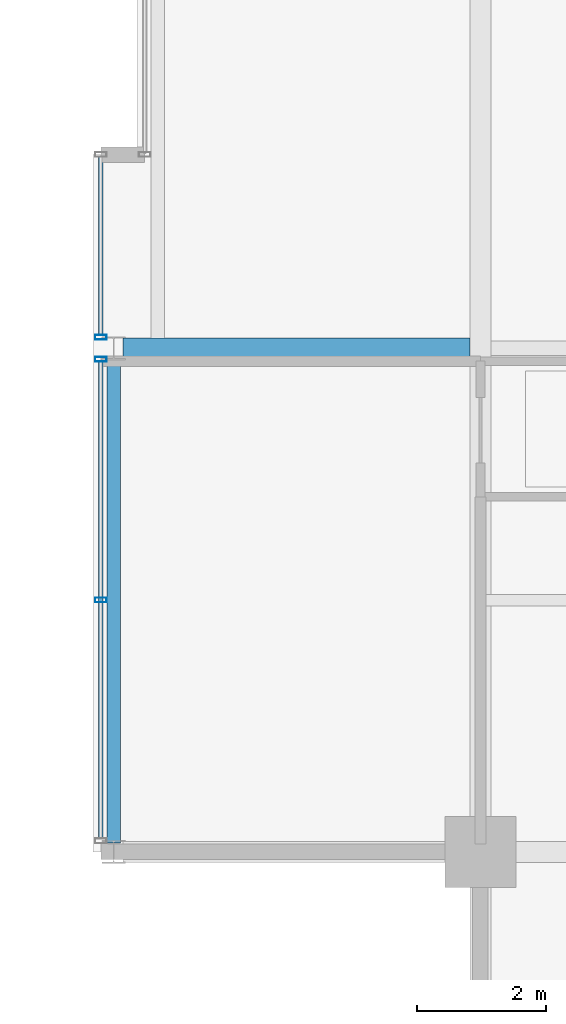
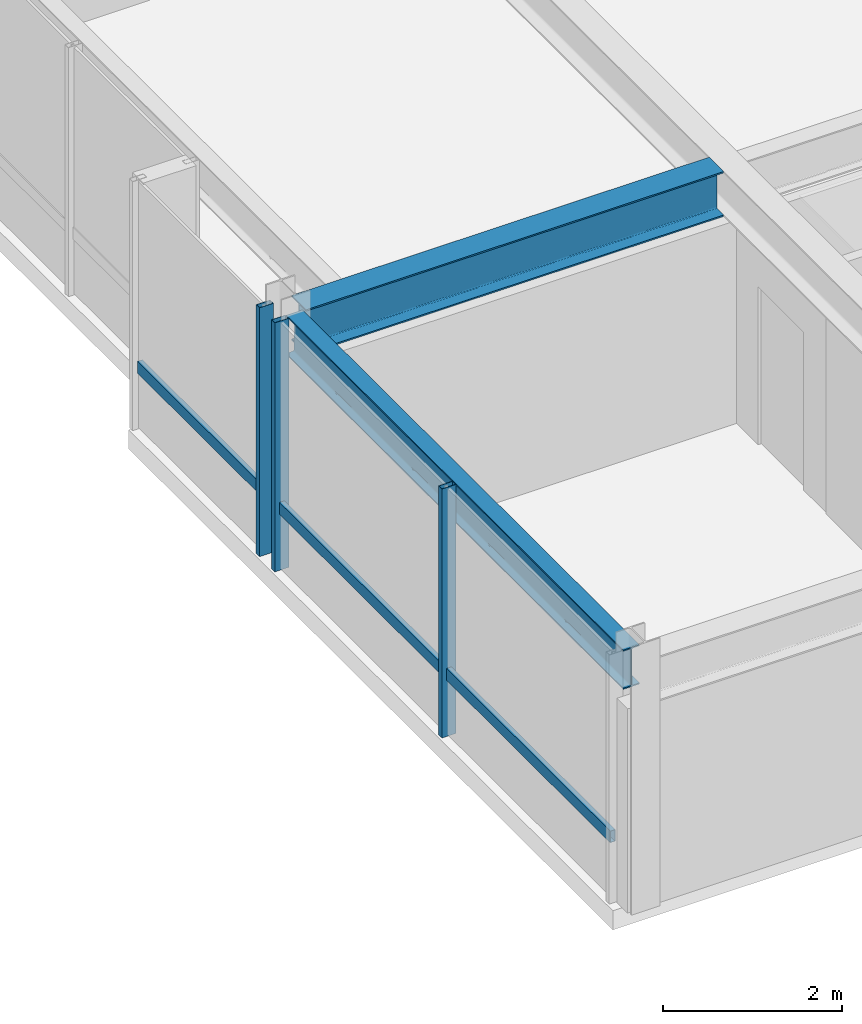
# One storey, part 5 of 33: 5 members, 2 beams, 2 elements without a shape of their own.
"""IFC4 building model written with IfcOpenShell, lengths in metres."""

from ifc_helpers import new_model, si_unit, direction, frame, origin, origin_2d, place, context, subcontext, project, spatial, hollow_rectangle, i_section, extrude, material, layer, layer_set, material_profile, profile_set, type_object, element, aggregate, save


model = new_model("IFC4")

# Units and contexts
model_context = context("Model", 3, precision=1e-05, world=origin(), true_north=direction((0.0, 1.0)))
body_context = subcontext(model_context, "Body", "Model", "MODEL_VIEW")
ifc_project = project(units=[si_unit("LENGTHUNIT", "METRE"), si_unit("AREAUNIT", "SQUARE_METRE"), si_unit("VOLUMEUNIT", "CUBIC_METRE"), si_unit("PLANEANGLEUNIT", "RADIAN"), si_unit("MASSUNIT", "GRAM", prefix="KILO")], contexts=[model_context])

# Site, building, storey
site_placement = place(None, origin())
site = spatial("IfcSite", under=ifc_project, at=site_placement, CompositionType="ELEMENT")
building_placement = place(site_placement, origin())
building = spatial("IfcBuilding", under=site, at=building_placement, Name="Drelvath Grand Hotel", CompositionType="ELEMENT")
storey_placement = place(building_placement, frame((0.0, 0.0, 283.25)))
storey = spatial("IfcBuildingStorey", under=building, at=storey_placement, Name="L74", CompositionType="ELEMENT", Elevation=283.25)

# Curtain wall, member
ifc_material_1 = material(Name="Platinum-Mist Anodised Aluminium Frame", Category="aluminium")
ifc_layer = layer(ifc_material_1, 0.199951171875)
ifc_layer_set = layer_set([ifc_layer], Name="Platinum-Mist Anodised Aluminium Frame")
curtain_wall_type = type_object("IfcCurtainWallType", Name="Stick Curtain Wall CW-05 Platinum Mist High-Rise", PredefinedType="NOTDEFINED", material=ifc_layer_set)
curtain_wall_1_placement = place(storey_placement, origin())
curtain_wall_1 = element("IfcCurtainWall", 1, at=curtain_wall_1_placement, inside=storey, type_object=curtain_wall_type, Name="L74 CW-05 Curtain Wall CW05-L74-WS1", PredefinedType="NOTDEFINED")
ifc_material_profile_1 = material_profile(ifc_material_1, hollow_rectangle(XDim=0.06494140625, YDim=0.159912109375, WallThickness=0.00390625, at=origin_2d()), Name="HSS160X65X4")
ifc_profile_set_1 = profile_set([ifc_material_profile_1], Name="Platinum-Mist Anodised Aluminium Frame")
member_type_1 = type_object("IfcMemberType", Name="Curtain Wall Horizontal Transom CW-05 HSS160X65X4", PredefinedType="USERDEFINED", material=ifc_profile_set_1)
member_1_placement = place(storey_placement, frame((-22.080078125, 11.010009765625, 0.847412109375), z_axis=(0.0, 1.0, 0.0), x_axis=(-1.0, 0.0, 0.0)))
member_1 = element("IfcMember", 2, at=member_1_placement, type_object=member_type_1, Name="CW05-L74-WS1 Sill Transom", ObjectType="TRANSOM", PredefinedType="USERDEFINED", context=body_context, shape_type="SweptSolid", body=[
    extrude(hollow_rectangle(XDim=0.06494140625, YDim=0.159912109375, WallThickness=0.00390625, at=origin_2d()), origin(), (0.0, 0.0, 1.0), 7.3798828125),
])

curtain_wall_2_placement = place(storey_placement, origin())
curtain_wall_2 = element("IfcCurtainWall", 3, at=curtain_wall_2_placement, inside=storey, type_object=curtain_wall_type, Name="L74 CW-05 Curtain Wall CW05-L74-WS2", PredefinedType="NOTDEFINED")
member_2_placement = place(storey_placement, frame((-22.080078125, 18.81005859375, 0.847412109375), z_axis=(0.0, 1.0, 0.0), x_axis=(-1.0, 0.0, 0.0)))
member_2 = element("IfcMember", 4, at=member_2_placement, type_object=member_type_1, Name="CW05-L74-WS2 Sill Transom", ObjectType="TRANSOM", PredefinedType="USERDEFINED", context=body_context, shape_type="SweptSolid", body=[
    extrude(hollow_rectangle(XDim=0.06494140625, YDim=0.159912109375, WallThickness=0.00390625, at=origin_2d()), origin(), (0.0, 0.0, 1.0), 2.75),
])

# Member
ifc_material_profile_2 = material_profile(ifc_material_1, hollow_rectangle(XDim=0.074951171875, YDim=0.179931640625, WallThickness=0.0048828125, at=origin_2d()), Name="HSS180X75X5")
ifc_profile_set_2 = profile_set([ifc_material_profile_2], Name="Platinum-Mist Anodised Aluminium Frame")
member_type_2 = type_object("IfcMemberType", Name="Curtain Wall Vertical Mullion CW-05 HSS180X75X5", PredefinedType="MULLION", material=ifc_profile_set_2)
member_3_placement = place(storey_placement, frame((-22.080078125, 14.7001953125, 0.0), z_axis=(0.0, 0.0, 1.0), x_axis=(0.0, 1.0, 0.0)))
member_3 = element("IfcMember", 5, at=member_3_placement, type_object=member_type_2, Name="CW05-L74-WS1 Mullion 2", PredefinedType="MULLION", context=body_context, shape_type="SweptSolid", body=[
    extrude(hollow_rectangle(XDim=0.074951171875, YDim=0.179931640625, WallThickness=0.0048828125, at=origin_2d()), origin(), (0.0, 0.0, 1.0), 3.389892578125),
])

member_4_placement = place(storey_placement, frame((-22.080078125, 18.429931640625, 0.0), z_axis=(0.0, 0.0, 1.0), x_axis=(0.0, 1.0, 0.0)))
member_4 = element("IfcMember", 6, at=member_4_placement, type_object=member_type_2, Name="CW05-L74-WS1 Mullion 3", PredefinedType="MULLION", context=body_context, shape_type="SweptSolid", body=[
    extrude(hollow_rectangle(XDim=0.074951171875, YDim=0.179931640625, WallThickness=0.0048828125, at=origin_2d()), origin(), (0.0, 0.0, 1.0), 3.389892578125),
])

aggregate(curtain_wall_1, [member_3, member_4, member_1])

member_5_placement = place(storey_placement, frame((-22.080078125, 18.77001953125, 0.0), z_axis=(0.0, 0.0, 1.0), x_axis=(0.0, 1.0, 0.0)))
member_5 = element("IfcMember", 7, at=member_5_placement, type_object=member_type_2, Name="CW05-L74-WS2 Mullion 1", PredefinedType="MULLION", context=body_context, shape_type="SweptSolid", body=[
    extrude(hollow_rectangle(XDim=0.074951171875, YDim=0.179931640625, WallThickness=0.0048828125, at=origin_2d()), origin(), (0.0, 0.0, 1.0), 3.389892578125),
])

aggregate(curtain_wall_2, [member_5, member_2])

# Beams
ifc_material_2 = material(Name="Steel ASTM A992 Gr 50", Category="steel")
ifc_material_profile_3 = material_profile(ifc_material_2, i_section(OverallWidth=0.210205078125, OverallDepth=0.53662109375, WebThickness=0.010986328125, FlangeThickness=0.017333984375, FilletRadius=0.01806640625, at=origin_2d()), Name="W21X68")
ifc_profile_set_3 = profile_set([ifc_material_profile_3], Name="Steel ASTM A992 Gr 50")
beam_type_1 = type_object("IfcBeamType", Name="Perimeter Spandrel Beam W21X68", PredefinedType="SPANDREL", material=ifc_profile_set_3)
beam_1_placement = place(storey_placement, frame((-21.8798828125, 10.93994140625, 3.12158203125), z_axis=(0.0, 1.0, 0.0), x_axis=(-1.0, 0.0, 0.0)))
element("IfcBeam", 8, at=beam_1_placement, inside=storey, type_object=beam_type_1, Name="L74 Spandrel West S", PredefinedType="SPANDREL", context=body_context, shape_type="SweptSolid", body=[
    extrude(i_section(OverallWidth=0.210205078125, OverallDepth=0.53662109375, WebThickness=0.010986328125, FlangeThickness=0.017333984375, FilletRadius=0.01806640625, at=origin_2d()), origin(), (0.0, 0.0, 1.0), 7.52001953125),
])
ifc_material_profile_4 = material_profile(ifc_material_2, i_section(OverallWidth=0.323974609375, OverallDepth=0.611083984375, WebThickness=0.0126953125, FlangeThickness=0.01904296875, FilletRadius=0.02197265625, at=origin_2d()), Name="W24X104")
ifc_profile_set_4 = profile_set([ifc_material_profile_4], Name="Steel ASTM A992 Gr 50")
beam_type_2 = type_object("IfcBeamType", Name="Primary Floor Girder W24X104", PredefinedType="BEAM", material=ifc_profile_set_4)
beam_2_placement = place(storey_placement, frame((-21.739990234375, 18.60009765625, 3.08447265625), z_axis=(1.0, 0.0, 0.0), x_axis=(0.0, 1.0, 0.0)))
element("IfcBeam", 9, at=beam_2_placement, inside=storey, type_object=beam_type_2, Name="L74 West Wing Girder D", PredefinedType="BEAM", context=body_context, shape_type="SweptSolid", body=[
    extrude(i_section(OverallWidth=0.323974609375, OverallDepth=0.611083984375, WebThickness=0.0126953125, FlangeThickness=0.01904296875, FilletRadius=0.02197265625, at=origin_2d()), origin(), (0.0, 0.0, 1.0), 5.3779296875),
])

save(model, "model.ifc")
